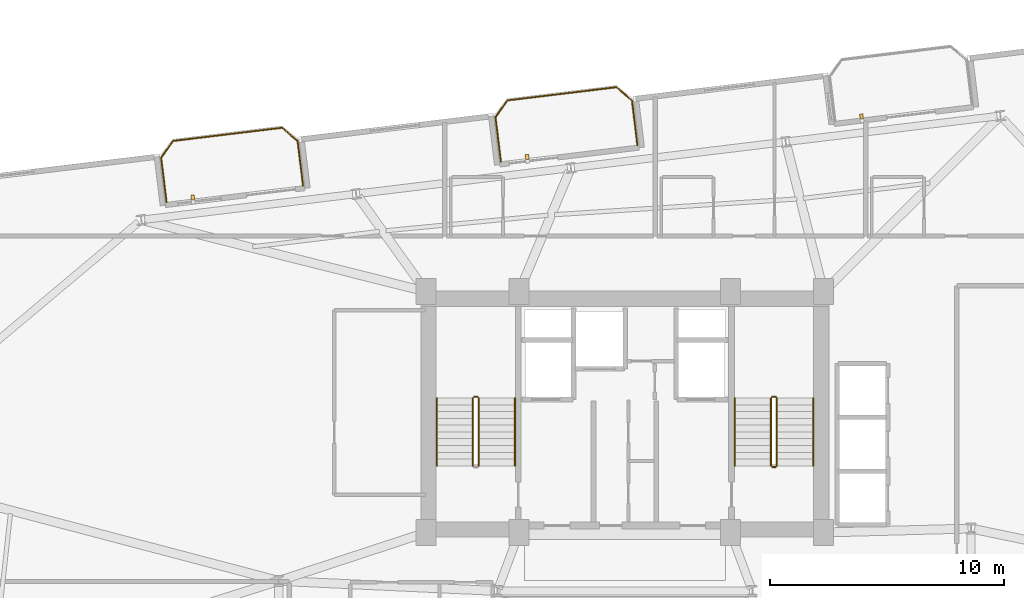
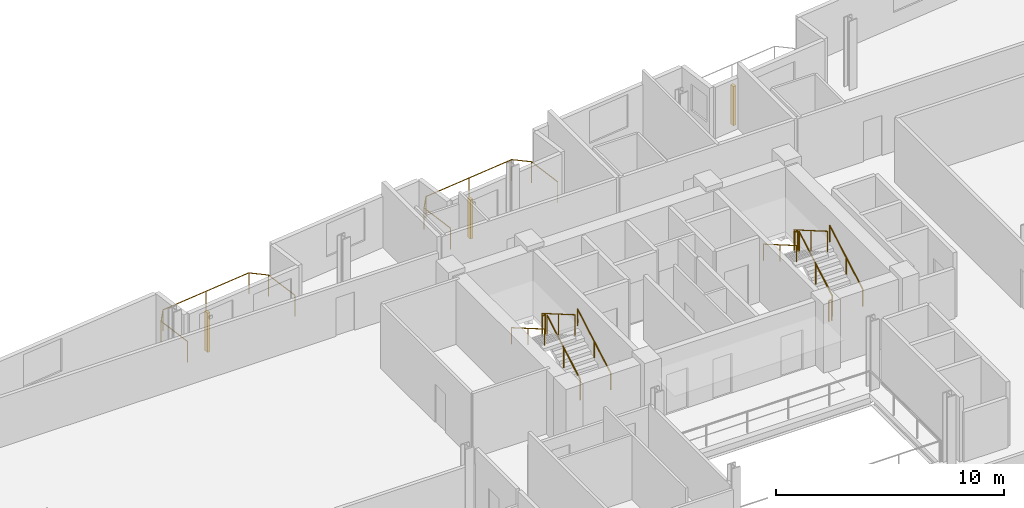
# One storey, part 21 of 22: 13 railings, 3 shading devices.
"""IFC4 building model written with IfcOpenShell, lengths in metres."""

from ifc_helpers import new_model, si_unit, direction, frame, origin, origin_2d, place, context, subcontext, project, spatial, rectangle, circle, extrude, source, transform, mapped, material, type_object, element, save


model = new_model("IFC4")

# Units and contexts
model_context = context("Model", 3, precision=1e-05, world=origin(), true_north=direction((0.0, 1.0)))
body_context = subcontext(model_context, "Body", "Model", "MODEL_VIEW")
ifc_project = project(units=[si_unit("LENGTHUNIT", "METRE"), si_unit("AREAUNIT", "SQUARE_METRE"), si_unit("VOLUMEUNIT", "CUBIC_METRE"), si_unit("PLANEANGLEUNIT", "RADIAN"), si_unit("MASSUNIT", "GRAM", prefix="KILO")], contexts=[model_context])

# Site, building, storey
site_placement = place(None, origin())
site = spatial("IfcSite", under=ifc_project, at=site_placement, CompositionType="ELEMENT")
building_placement = place(site_placement, origin())
building = spatial("IfcBuilding", under=site, at=building_placement, Name="Varnelok Gate Tower", CompositionType="ELEMENT")
storey_placement = place(building_placement, frame((0.0, 0.0, 185.699951171875)))
storey = spatial("IfcBuildingStorey", under=building, at=storey_placement, Name="L47", CompositionType="ELEMENT", Elevation=185.699951171875)

# Railings
ifc_material_1 = material(Name="Low-E Laminated Double Glazing IGU", Category="glass")
railing_type_1 = type_object("IfcRailingType", Name="RL-BALC-1150", PredefinedType="BALUSTRADE", material=ifc_material_1)
railing_1_placement = place(storey_placement, frame((19.603271484375, 42.869384765625, 0.0)))
element("IfcRailing", 1, at=railing_1_placement, inside=storey, type_object=railing_type_1, Name="L47 North Terrace Balustrade 4", PredefinedType="BALUSTRADE", context=body_context, shape_type="SweptSolid", body=[
    extrude(circle(Radius=0.02392578125, at=origin_2d()), frame((0.0, 0.0, 1.1259765625), z_axis=(-0.120418709125, 0.992723191274, 0.0), x_axis=(-0.992723191274, -0.120418709125, 0.0)), (0.0, 0.0, 1.0), 1.919921875),
    extrude(circle(Radius=0.02392578125, at=origin_2d()), frame((-0.231201171875, 1.906005859375, 1.1259765625), z_axis=(0.57815621837, 0.815926091726, 0.0), x_axis=(-0.815926091726, 0.57815621837, 0.0)), (0.0, 0.0, 1.0), 0.8779296875),
    extrude(circle(Radius=0.02392578125, at=origin_2d()), frame((0.2763671875, 2.622314453125, 1.1259765625), z_axis=(0.992730585037, 0.120357739811, 0.0), x_axis=(-0.120357739811, 0.992730585037, 0.0)), (0.0, 0.0, 1.0), 4.699951171875),
    extrude(circle(Radius=0.02392578125, at=origin_2d()), frame((4.942138671875, 3.18798828125, 1.1259765625), z_axis=(0.756285086452, -0.654242208979, 0.0), x_axis=(0.654242208979, 0.756285086452, 0.0)), (0.0, 0.0, 1.0), 0.878173828125),
    extrude(circle(Radius=0.02392578125, at=origin_2d()), frame((5.606201171875, 2.613525390625, 1.1259765625), z_axis=(0.120293392036, -0.992738384386, 0.0), x_axis=(0.992738384386, 0.120293392036, 0.0)), (0.0, 0.0, 1.0), 1.919921875),
    extrude(circle(Radius=0.02099609375, at=origin_2d()), origin(), (0.0, 0.0, 1.0), 1.101806640625),
    extrude(circle(Radius=0.02099609375, at=origin_2d()), frame((-0.231201171875, 1.906005859375, 0.0)), (0.0, 0.0, 1.0), 1.101806640625),
    extrude(circle(Radius=0.02099609375, at=origin_2d()), frame((0.2763671875, 2.622314453125, 0.0)), (0.0, 0.0, 1.0), 1.101806640625),
    extrude(circle(Radius=0.02099609375, at=origin_2d()), frame((2.609375, 2.9052734375, 0.0)), (0.0, 0.0, 1.0), 1.101806640625),
    extrude(circle(Radius=0.02099609375, at=origin_2d()), frame((4.942138671875, 3.18798828125, 0.0)), (0.0, 0.0, 1.0), 1.101806640625),
    extrude(circle(Radius=0.02099609375, at=origin_2d()), frame((5.606201171875, 2.613525390625, 0.0)), (0.0, 0.0, 1.0), 1.101806640625),
    extrude(circle(Radius=0.02099609375, at=origin_2d()), frame((5.837158203125, 0.70751953125, 0.0)), (0.0, 0.0, 1.0), 1.101806640625),
])
railing_2_placement = place(storey_placement, frame((33.8984375, 44.602294921875, 0.0)))
element("IfcRailing", 2, at=railing_2_placement, inside=storey, type_object=railing_type_1, Name="L47 North Terrace Balustrade 5", PredefinedType="BALUSTRADE", context=body_context, shape_type="SweptSolid", body=[
    extrude(circle(Radius=0.02392578125, at=origin_2d()), frame((0.0, 0.0, 1.1259765625), z_axis=(-0.120293392036, 0.992738384386, 0.0), x_axis=(-0.992738384386, -0.120293392036, 0.0)), (0.0, 0.0, 1.0), 1.919921875),
    extrude(circle(Radius=0.02392578125, at=origin_2d()), frame((-0.23095703125, 1.906005859375, 1.1259765625), z_axis=(0.57815621837, 0.815926091726, 0.0), x_axis=(-0.815926091726, 0.57815621837, 0.0)), (0.0, 0.0, 1.0), 0.8779296875),
    extrude(circle(Radius=0.02392578125, at=origin_2d()), frame((0.276611328125, 2.622314453125, 1.1259765625), z_axis=(0.992730585037, 0.120357739811, 0.0), x_axis=(-0.120357739811, 0.992730585037, 0.0)), (0.0, 0.0, 1.0), 4.699951171875),
    extrude(circle(Radius=0.02392578125, at=origin_2d()), frame((4.9423828125, 3.18798828125, 1.1259765625), z_axis=(0.756303655992, -0.654220742513, 0.0), x_axis=(0.654220742513, 0.756303655992, 0.0)), (0.0, 0.0, 1.0), 0.877685546875),
    extrude(circle(Radius=0.02392578125, at=origin_2d()), frame((5.606201171875, 2.61376953125, 1.1259765625), z_axis=(0.12040351024, -0.992725034802, 0.0), x_axis=(0.992725034802, 0.12040351024, 0.0)), (0.0, 0.0, 1.0), 1.920166015625),
    extrude(circle(Radius=0.02099609375, at=origin_2d()), origin(), (0.0, 0.0, 1.0), 1.101806640625),
    extrude(circle(Radius=0.02099609375, at=origin_2d()), frame((-0.23095703125, 1.906005859375, 0.0)), (0.0, 0.0, 1.0), 1.101806640625),
    extrude(circle(Radius=0.02099609375, at=origin_2d()), frame((0.276611328125, 2.622314453125, 0.0)), (0.0, 0.0, 1.0), 1.101806640625),
    extrude(circle(Radius=0.02099609375, at=origin_2d()), frame((2.609375, 2.9052734375, 0.0)), (0.0, 0.0, 1.0), 1.101806640625),
    extrude(circle(Radius=0.02099609375, at=origin_2d()), frame((4.9423828125, 3.18798828125, 0.0)), (0.0, 0.0, 1.0), 1.101806640625),
    extrude(circle(Radius=0.02099609375, at=origin_2d()), frame((5.606201171875, 2.61376953125, 0.0)), (0.0, 0.0, 1.0), 1.101806640625),
    extrude(circle(Radius=0.02099609375, at=origin_2d()), frame((5.83740234375, 0.70751953125, 0.0)), (0.0, 0.0, 1.0), 1.101806640625),
])
ifc_material_2 = material(Name="Brushed Stainless Steel AISI 316", Category="steel")
railing_type_2 = type_object("IfcRailingType", Name="RL-HANDRAIL-900", PredefinedType="HANDRAIL", material=ifc_material_2)
railing_3_placement = place(storey_placement, frame((34.5, 31.60009765625, 0.168212890625)))
element("IfcRailing", 3, at=railing_3_placement, inside=storey, type_object=railing_type_2, Name="L47 ST-1 stair handrail 1", PredefinedType="HANDRAIL", context=body_context, shape_type="SweptSolid", body=[
    extrude(circle(Radius=0.02392578125, at=origin_2d()), frame((0.0, 0.0, 0.8759765625), z_axis=(0.0, 0.865038774852, 0.501705010941), x_axis=(-1.0, 0.0, 0.0)), (0.0, 0.0, 1.0), 3.352294921875),
    extrude(circle(Radius=0.02099609375, at=origin_2d()), origin(), (0.0, 0.0, 1.0), 0.851806640625),
    extrude(circle(Radius=0.02099609375, at=origin_2d()), frame((0.0, 1.449951171875, 0.8408203125)), (0.0, 0.0, 1.0), 0.851806640625),
    extrude(circle(Radius=0.02099609375, at=origin_2d()), frame((0.0, 2.89990234375, 1.681884765625)), (0.0, 0.0, 1.0), 0.851806640625),
])
railing_4_placement = place(storey_placement, frame((31.14990234375, 34.5, 2.018310546875)))
element("IfcRailing", 4, at=railing_4_placement, inside=storey, type_object=railing_type_2, Name="L47 ST-1 stair handrail 2", PredefinedType="HANDRAIL", context=body_context, shape_type="SweptSolid", body=[
    extrude(circle(Radius=0.02392578125, at=origin_2d()), frame((0.0, 0.0, 0.8759765625), z_axis=(0.0, -0.86507038078, 0.501650512107), x_axis=(1.0, 0.0, 0.0)), (0.0, 0.0, 1.0), 3.352294921875),
    extrude(circle(Radius=0.02099609375, at=origin_2d()), origin(), (0.0, 0.0, 1.0), 0.851806640625),
    extrude(circle(Radius=0.02099609375, at=origin_2d()), frame((0.0, -1.449951171875, 0.8408203125)), (0.0, 0.0, 1.0), 0.851806640625),
    extrude(circle(Radius=0.02099609375, at=origin_2d()), frame((0.0, -2.89990234375, 1.681640625)), (0.0, 0.0, 1.0), 0.851806640625),
])
railing_5_placement = place(storey_placement, frame((47.25, 31.60009765625, 0.168212890625)))
element("IfcRailing", 5, at=railing_5_placement, inside=storey, type_object=railing_type_2, Name="L47 ST-2 stair handrail 1", PredefinedType="HANDRAIL", context=body_context, shape_type="SweptSolid", body=[
    extrude(circle(Radius=0.02392578125, at=origin_2d()), frame((0.0, 0.0, 0.8759765625), z_axis=(0.0, 0.865038774852, 0.501705010941), x_axis=(-1.0, 0.0, 0.0)), (0.0, 0.0, 1.0), 3.352294921875),
    extrude(circle(Radius=0.02099609375, at=origin_2d()), origin(), (0.0, 0.0, 1.0), 0.851806640625),
    extrude(circle(Radius=0.02099609375, at=origin_2d()), frame((0.0, 1.449951171875, 0.8408203125)), (0.0, 0.0, 1.0), 0.851806640625),
    extrude(circle(Radius=0.02099609375, at=origin_2d()), frame((0.0, 2.89990234375, 1.681884765625)), (0.0, 0.0, 1.0), 0.851806640625),
])
railing_6_placement = place(storey_placement, frame((43.89990234375, 34.5, 2.018310546875)))
element("IfcRailing", 6, at=railing_6_placement, inside=storey, type_object=railing_type_2, Name="L47 ST-2 stair handrail 2", PredefinedType="HANDRAIL", context=body_context, shape_type="SweptSolid", body=[
    extrude(circle(Radius=0.02392578125, at=origin_2d()), frame((0.0, 0.0, 0.8759765625), z_axis=(0.0, -0.86507038078, 0.501650512107), x_axis=(1.0, 0.0, 0.0)), (0.0, 0.0, 1.0), 3.352294921875),
    extrude(circle(Radius=0.02099609375, at=origin_2d()), origin(), (0.0, 0.0, 1.0), 0.851806640625),
    extrude(circle(Radius=0.02099609375, at=origin_2d()), frame((0.0, -1.449951171875, 0.8408203125)), (0.0, 0.0, 1.0), 0.851806640625),
    extrude(circle(Radius=0.02099609375, at=origin_2d()), frame((0.0, -2.89990234375, 1.681640625)), (0.0, 0.0, 1.0), 0.851806640625),
])
ifc_material_3 = material(Name="Galvanized Steel Grade S350GD", Category="steel")
railing_type_3 = type_object("IfcRailingType", Name="RL-STAIR-GUARD1120", PredefinedType="GUARDRAIL", material=ifc_material_3)
railing_7_placement = place(storey_placement, frame((32.949951171875, 31.60009765625, 0.168212890625)))
element("IfcRailing", 7, at=railing_7_placement, inside=storey, type_object=railing_type_3, Name="L47 ST-1 stair guard 1", PredefinedType="GUARDRAIL", context=body_context, shape_type="SweptSolid", body=[
    extrude(circle(Radius=0.02392578125, at=origin_2d()), frame((0.0, 0.0, 1.09619140625), z_axis=(0.0, 0.865038774852, 0.501705010941), x_axis=(-1.0, 0.0, 0.0)), (0.0, 0.0, 1.0), 3.352294921875),
    extrude(circle(Radius=0.02099609375, at=origin_2d()), origin(), (0.0, 0.0, 1.0), 1.072021484375),
    extrude(circle(Radius=0.02099609375, at=origin_2d()), frame((0.0, 1.449951171875, 0.8408203125)), (0.0, 0.0, 1.0), 1.072021484375),
    extrude(circle(Radius=0.02099609375, at=origin_2d()), frame((0.0, 2.89990234375, 1.681884765625)), (0.0, 0.0, 1.0), 1.072021484375),
])
railing_8_placement = place(storey_placement, frame((32.89990234375, 34.550048828125, 1.85009765625)))
element("IfcRailing", 8, at=railing_8_placement, inside=storey, type_object=railing_type_3, Name="L47 ST-1 stair guard 2", PredefinedType="GUARDRAIL", context=body_context, shape_type="SweptSolid", body=[
    extrude(circle(Radius=0.02392578125, at=origin_2d()), frame((0.0, 0.0, 1.09619140625), z_axis=(-1.0, 0.0, 0.0), x_axis=(0.0, -1.0, 0.0)), (0.0, 0.0, 1.0), 0.14990234375),
    extrude(circle(Radius=0.02099609375, at=origin_2d()), origin(), (0.0, 0.0, 1.0), 1.072021484375),
    extrude(circle(Radius=0.02099609375, at=origin_2d()), frame((-0.14990234375, 0.0, 0.0)), (0.0, 0.0, 1.0), 1.072021484375),
])
railing_9_placement = place(storey_placement, frame((32.699951171875, 34.5, 2.018310546875)))
element("IfcRailing", 9, at=railing_9_placement, inside=storey, type_object=railing_type_3, Name="L47 ST-1 stair guard 3", PredefinedType="GUARDRAIL", context=body_context, shape_type="SweptSolid", body=[
    extrude(circle(Radius=0.02392578125, at=origin_2d()), frame((0.0, 0.0, 1.09619140625), z_axis=(0.0, -0.86507038078, 0.501650512107), x_axis=(1.0, 0.0, 0.0)), (0.0, 0.0, 1.0), 3.352294921875),
    extrude(circle(Radius=0.02099609375, at=origin_2d()), origin(), (0.0, 0.0, 1.0), 1.072021484375),
    extrude(circle(Radius=0.02099609375, at=origin_2d()), frame((0.0, -1.449951171875, 0.8408203125)), (0.0, 0.0, 1.0), 1.072021484375),
    extrude(circle(Radius=0.02099609375, at=origin_2d()), frame((0.0, -2.89990234375, 1.681640625)), (0.0, 0.0, 1.0), 1.072021484375),
])
railing_10_placement = place(storey_placement, frame((45.699951171875, 31.60009765625, 0.168212890625)))
element("IfcRailing", 10, at=railing_10_placement, inside=storey, type_object=railing_type_3, Name="L47 ST-2 stair guard 1", PredefinedType="GUARDRAIL", context=body_context, shape_type="SweptSolid", body=[
    extrude(circle(Radius=0.02392578125, at=origin_2d()), frame((0.0, 0.0, 1.09619140625), z_axis=(0.0, 0.865038774852, 0.501705010941), x_axis=(-1.0, 0.0, 0.0)), (0.0, 0.0, 1.0), 3.352294921875),
    extrude(circle(Radius=0.02099609375, at=origin_2d()), origin(), (0.0, 0.0, 1.0), 1.072021484375),
    extrude(circle(Radius=0.02099609375, at=origin_2d()), frame((0.0, 1.449951171875, 0.8408203125)), (0.0, 0.0, 1.0), 1.072021484375),
    extrude(circle(Radius=0.02099609375, at=origin_2d()), frame((0.0, 2.89990234375, 1.681884765625)), (0.0, 0.0, 1.0), 1.072021484375),
])
railing_11_placement = place(storey_placement, frame((45.64990234375, 34.550048828125, 1.85009765625)))
element("IfcRailing", 11, at=railing_11_placement, inside=storey, type_object=railing_type_3, Name="L47 ST-2 stair guard 2", PredefinedType="GUARDRAIL", context=body_context, shape_type="SweptSolid", body=[
    extrude(circle(Radius=0.02392578125, at=origin_2d()), frame((0.0, 0.0, 1.09619140625), z_axis=(-1.0, 0.0, 0.0), x_axis=(0.0, -1.0, 0.0)), (0.0, 0.0, 1.0), 0.14990234375),
    extrude(circle(Radius=0.02099609375, at=origin_2d()), origin(), (0.0, 0.0, 1.0), 1.072021484375),
    extrude(circle(Radius=0.02099609375, at=origin_2d()), frame((-0.14990234375, 0.0, 0.0)), (0.0, 0.0, 1.0), 1.072021484375),
])
railing_12_placement = place(storey_placement, frame((45.449951171875, 34.5, 2.018310546875)))
element("IfcRailing", 12, at=railing_12_placement, inside=storey, type_object=railing_type_3, Name="L47 ST-2 stair guard 3", PredefinedType="GUARDRAIL", context=body_context, shape_type="SweptSolid", body=[
    extrude(circle(Radius=0.02392578125, at=origin_2d()), frame((0.0, 0.0, 1.09619140625), z_axis=(0.0, -0.86507038078, 0.501650512107), x_axis=(1.0, 0.0, 0.0)), (0.0, 0.0, 1.0), 3.352294921875),
    extrude(circle(Radius=0.02099609375, at=origin_2d()), origin(), (0.0, 0.0, 1.0), 1.072021484375),
    extrude(circle(Radius=0.02099609375, at=origin_2d()), frame((0.0, -1.449951171875, 0.8408203125)), (0.0, 0.0, 1.0), 1.072021484375),
    extrude(circle(Radius=0.02099609375, at=origin_2d()), frame((0.0, -2.89990234375, 1.681640625)), (0.0, 0.0, 1.0), 1.072021484375),
])
railing_13_placement = place(storey_placement, frame((45.64990234375, 31.550048828125, 0.0)))
element("IfcRailing", 13, at=railing_13_placement, inside=storey, type_object=railing_type_3, Name="L47 ST-2 stair guard 4", PredefinedType="GUARDRAIL", context=body_context, shape_type="SweptSolid", body=[
    extrude(circle(Radius=0.02392578125, at=origin_2d()), frame((0.0, 0.0, 1.09619140625), z_axis=(-1.0, 0.0, 0.0), x_axis=(0.0, -1.0, 0.0)), (0.0, 0.0, 1.0), 0.14990234375),
    extrude(circle(Radius=0.02099609375, at=origin_2d()), origin(), (0.0, 0.0, 1.0), 1.072021484375),
    extrude(circle(Radius=0.02099609375, at=origin_2d()), frame((-0.14990234375, 0.0, 0.0)), (0.0, 0.0, 1.0), 1.072021484375),
])

# Shading devices
ifc_material_4 = material(Name="Glazed Architectural Terracotta Ceramic", Category="masonry")
shading_device_type = type_object("IfcShadingDeviceType", Name="SHD-TERRA-FIN", PredefinedType="USERDEFINED", material=ifc_material_4)
shared_shape = source(origin(), body_context, "Body", "SweptSolid", [
    extrude(rectangle(XDim=0.139892578125, YDim=0.219970703125, at=origin_2d()), origin(), (0.0, 0.0, 1.0), 2.10009765625),
])
for number, where, z_axis, x_axis, name in (
    (14, (20.7265625, 43.075927734375, 0.10009765625), (0.0, 0.0, 1.0), (0.992732158755, 0.12034475881, 0.0), "L47 Terracotta Ceramic Baguette Sunscreen 4.1"),
    (15, (35.021728515625, 44.80908203125, 0.10009765625), (0.0, 0.0, 1.0), (0.992732158755, 0.12034475881, 0.0), "L47 Terracotta Ceramic Baguette Sunscreen 5.1"),
    (16, (49.317138671875, 46.5419921875, 0.10009765625), (0.0, 0.0, 1.0), (0.992732158755, 0.12034475881, 0.0), "L47 Terracotta Ceramic Baguette Sunscreen 6.1"),
):
    element("IfcShadingDevice", number, at=place(storey_placement, frame(where, z_axis=z_axis, x_axis=x_axis)), inside=storey, type_object=shading_device_type, Name=name, ObjectType="BAGUETTE", PredefinedType="USERDEFINED", context=body_context, shape_type="MappedRepresentation", body=[
        mapped(shared_shape, transform((0.0, 0.0, 0.0), scale=1.0)),
    ])

save(model, "model.ifc")
